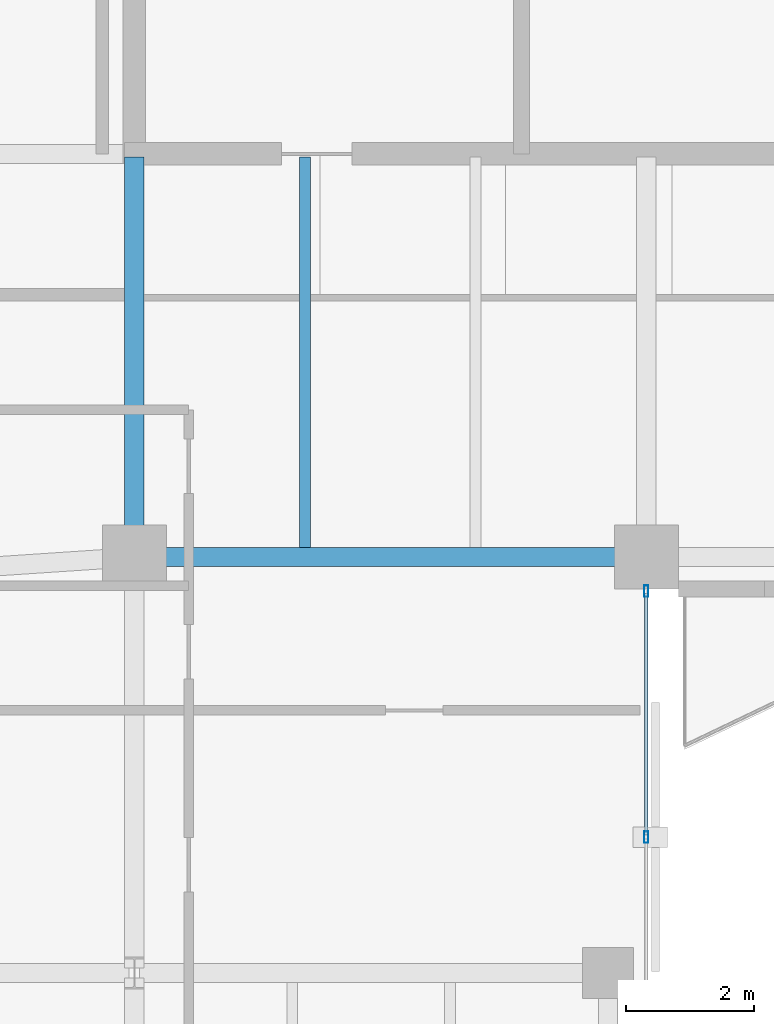
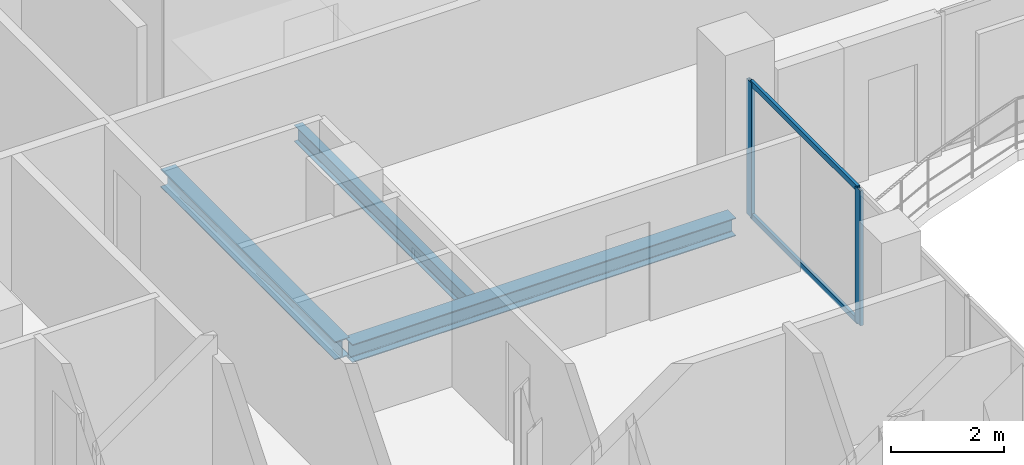
# One storey, part 10 of 23: 4 members, 3 beams, 1 element without a shape of its own.
"""IFC4 building model written with IfcOpenShell, lengths in metres."""

from ifc_helpers import new_model, si_unit, direction, frame, origin, origin_2d, place, context, subcontext, project, spatial, hollow_rectangle, i_section, extrude, material, layer, layer_set, material_profile, profile_set, type_object, element, aggregate, save


model = new_model("IFC4")

# Units and contexts
model_context = context("Model", 3, precision=1e-05, world=origin(), true_north=direction((0.0, 1.0)))
body_context = subcontext(model_context, "Body", "Model", "MODEL_VIEW")
ifc_project = project(units=[si_unit("LENGTHUNIT", "METRE"), si_unit("AREAUNIT", "SQUARE_METRE"), si_unit("VOLUMEUNIT", "CUBIC_METRE"), si_unit("PLANEANGLEUNIT", "RADIAN"), si_unit("MASSUNIT", "GRAM", prefix="KILO")], contexts=[model_context])

# Site, building, storey
site_placement = place(None, origin())
site = spatial("IfcSite", under=ifc_project, at=site_placement, CompositionType="ELEMENT")
building_placement = place(site_placement, origin())
building = spatial("IfcBuilding", under=site, at=building_placement, Name="Catumbela Crestline Tower", CompositionType="ELEMENT")
storey_placement = place(building_placement, frame((0.0, 0.0, 168.6)))
storey = spatial("IfcBuildingStorey", under=building, at=storey_placement, Name="L43", CompositionType="ELEMENT", Elevation=168.6)

# Beams
ifc_material_1 = material(Name="Structural steel S355J2", Category="steel")
ifc_material_profile_1 = material_profile(ifc_material_1, i_section(OverallWidth=0.3, OverallDepth=0.39, WebThickness=0.011, FlangeThickness=0.019, FilletRadius=0.027, at=origin_2d()), Name="HEA 400")
ifc_profile_set_1 = profile_set([ifc_material_profile_1], Name="Structural steel S355J2")
beam_type_1 = type_object("IfcBeamType", Name="BG-HEA400", PredefinedType="BEAM", material=ifc_profile_set_1)
beam_1_placement = place(storey_placement, frame((16.08, 24.5, -0.455), z_axis=(1.0, 0.0, 0.0), x_axis=(0.0, 1.0, 0.0)))
element("IfcBeam", 1, at=beam_1_placement, inside=storey, type_object=beam_type_1, Name="L43 Beam BM-L43-S03", PredefinedType="BEAM", context=body_context, shape_type="SweptSolid", body=[
    extrude(i_section(OverallWidth=0.3, OverallDepth=0.39, WebThickness=0.011, FlangeThickness=0.019, FilletRadius=0.027, at=origin_2d()), origin(), (0.0, 0.0, 1.0), 7.84),
])
beam_2_placement = place(storey_placement, frame((16.0, 24.58, -0.455), z_axis=(0.0, 1.0, 0.0), x_axis=(-1.0, 0.0, 0.0)))
element("IfcBeam", 2, at=beam_2_placement, inside=storey, type_object=beam_type_1, Name="L43 Beam BM-L43-SNS17", PredefinedType="BEAM", context=body_context, shape_type="SweptSolid", body=[
    extrude(i_section(OverallWidth=0.3, OverallDepth=0.39, WebThickness=0.011, FlangeThickness=0.019, FilletRadius=0.027, at=origin_2d()), origin(), (0.0, 0.0, 1.0), 6.17),
])
ifc_material_profile_2 = material_profile(ifc_material_1, i_section(OverallWidth=0.17, OverallDepth=0.36, WebThickness=0.008, FlangeThickness=0.0127, FilletRadius=0.018, at=origin_2d()), Name="IPE 360")
ifc_profile_set_2 = profile_set([ifc_material_profile_2], Name="Structural steel S355J2")
beam_type_2 = type_object("IfcBeamType", Name="BJ-IPE360", PredefinedType="JOIST", material=ifc_profile_set_2)
beam_3_placement = place(storey_placement, frame((18.667, 24.647, -0.44), z_axis=(0.0, 1.0, 0.0), x_axis=(-1.0, 0.0, 0.0)))
element("IfcBeam", 3, at=beam_3_placement, inside=storey, type_object=beam_type_2, Name="L43 Joist JS-L43-SP26", PredefinedType="JOIST", context=body_context, shape_type="SweptSolid", body=[
    extrude(i_section(OverallWidth=0.17, OverallDepth=0.36, WebThickness=0.008, FlangeThickness=0.0127, FilletRadius=0.018, at=origin_2d()), origin(), (0.0, 0.0, 1.0), 6.103),
])

# Curtain wall, members
ifc_material_2 = material(Name="Aluminium alloy AW-6060-T66", Category="aluminium")
ifc_layer = layer(ifc_material_2, 0.18, Name="Aluminium alloy AW-6060-T66")
ifc_layer_set = layer_set([ifc_layer], Name="Aluminium alloy AW-6060-T66")
curtain_wall_type = type_object("IfcCurtainWallType", Name="CWU-Z3", PredefinedType="USERDEFINED", material=ifc_layer_set)
curtain_wall_placement = place(storey_placement, origin())
curtain_wall = element("IfcCurtainWall", 4, at=curtain_wall_placement, inside=storey, type_object=curtain_wall_type, Name="L43 Unitised Curtain Wall CW-L43-E2S1", ObjectType="UNITISED", PredefinedType="USERDEFINED")
ifc_material_profile_3 = material_profile(ifc_material_2, hollow_rectangle(XDim=0.065, YDim=0.18, WallThickness=0.004, at=origin_2d()), Name="ALU 180x65x4")
ifc_profile_set_3 = profile_set([ifc_material_profile_3], Name="Aluminium alloy AW-6060-T66")
member_type_1 = type_object("IfcMemberType", Name="MUL-180X65", PredefinedType="MULLION", material=ifc_profile_set_3)
member_1_placement = place(storey_placement, frame((24.0, 20.125, 0.0), z_axis=(0.0, 0.0, 1.0), x_axis=(-1.0, 0.0, 0.0)))
member_1 = element("IfcMember", 5, at=member_1_placement, type_object=member_type_1, Name="CWU-Z3 mullion 4", PredefinedType="MULLION", context=body_context, shape_type="SweptSolid", body=[
    extrude(hollow_rectangle(XDim=0.065, YDim=0.18, WallThickness=0.004, at=origin_2d()), origin(), (0.0, 0.0, 1.0), 2.92),
])
member_2_placement = place(storey_placement, frame((24.0, 23.9675, 0.0), z_axis=(0.0, 0.0, 1.0), x_axis=(-1.0, 0.0, 0.0)))
member_2 = element("IfcMember", 6, at=member_2_placement, type_object=member_type_1, Name="CWU-Z3 mullion 5", PredefinedType="MULLION", context=body_context, shape_type="SweptSolid", body=[
    extrude(hollow_rectangle(XDim=0.065, YDim=0.18, WallThickness=0.004, at=origin_2d()), origin(), (0.0, 0.0, 1.0), 2.92),
])
ifc_material_profile_4 = material_profile(ifc_material_2, hollow_rectangle(XDim=0.06, YDim=0.12, WallThickness=0.0035, at=origin_2d()), Name="ALU 120x60x3.5")
ifc_profile_set_4 = profile_set([ifc_material_profile_4], Name="Aluminium alloy AW-6060-T66")
member_type_2 = type_object("IfcMemberType", Name="TRN-120X60", PredefinedType="USERDEFINED", material=ifc_profile_set_4)
member_3_placement = place(storey_placement, frame((24.0, 20.1575, 0.03), z_axis=(0.0, 1.0, 0.0), x_axis=(-1.0, 0.0, 0.0)))
member_3 = element("IfcMember", 7, at=member_3_placement, type_object=member_type_2, Name="CWU-Z3 transom 4.1", ObjectType="TRANSOM", PredefinedType="USERDEFINED", context=body_context, shape_type="SweptSolid", body=[
    extrude(hollow_rectangle(XDim=0.06, YDim=0.12, WallThickness=0.0035, at=origin_2d()), origin(), (0.0, 0.0, 1.0), 3.7775),
])
member_4_placement = place(storey_placement, frame((24.0, 20.1575, 2.89), z_axis=(0.0, 1.0, 0.0), x_axis=(-1.0, 0.0, 0.0)))
member_4 = element("IfcMember", 8, at=member_4_placement, type_object=member_type_2, Name="CWU-Z3 transom 4.2", ObjectType="TRANSOM", PredefinedType="USERDEFINED", context=body_context, shape_type="SweptSolid", body=[
    extrude(hollow_rectangle(XDim=0.06, YDim=0.12, WallThickness=0.0035, at=origin_2d()), origin(), (0.0, 0.0, 1.0), 3.7775),
])
aggregate(curtain_wall, [member_1, member_2, member_3, member_4])

save(model, "model.ifc")
